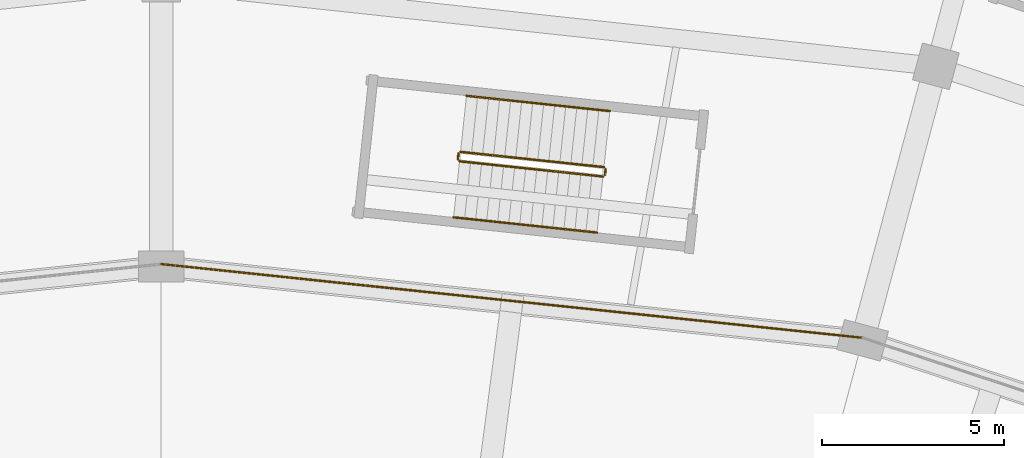
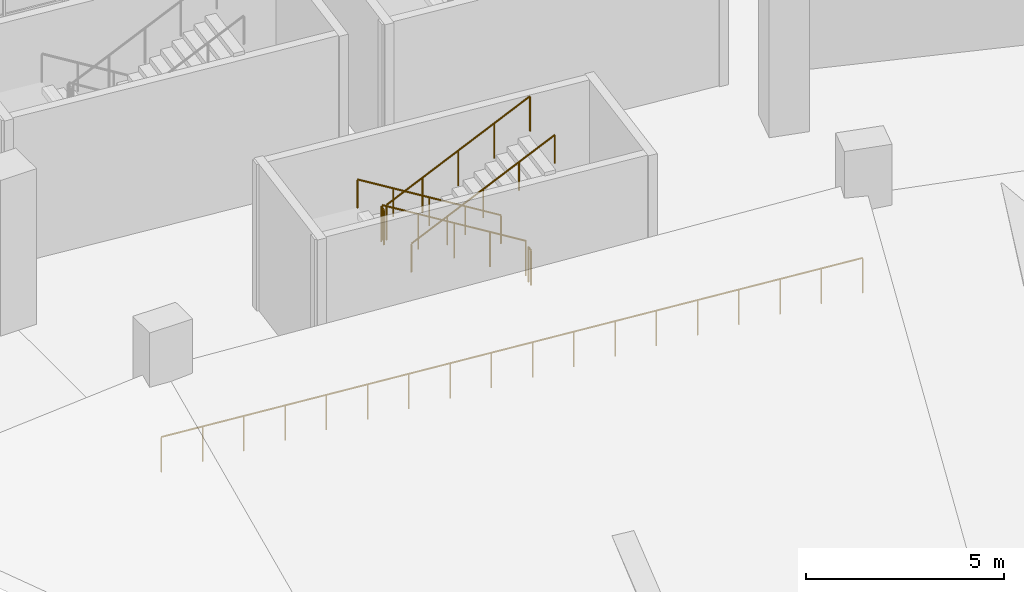
# One storey, part 167 of 183: 7 railings.
"""IFC4 building model written with IfcOpenShell, lengths in metres."""

from ifc_helpers import new_model, si_unit, direction, frame, origin, origin_2d, place, context, subcontext, project, spatial, circle, extrude, material, type_object, element, save


model = new_model("IFC4")

# Units and contexts
model_context = context("Model", 3, precision=1e-05, world=origin(), true_north=direction((0.0, 1.0)))
body_context = subcontext(model_context, "Body", "Model", "MODEL_VIEW")
ifc_project = project(units=[si_unit("LENGTHUNIT", "METRE"), si_unit("AREAUNIT", "SQUARE_METRE"), si_unit("VOLUMEUNIT", "CUBIC_METRE"), si_unit("PLANEANGLEUNIT", "RADIAN"), si_unit("MASSUNIT", "GRAM", prefix="KILO")], contexts=[model_context])

# Site, building, storey
site_placement = place(None, origin())
site = spatial("IfcSite", under=ifc_project, at=site_placement, CompositionType="ELEMENT")
building_placement = place(site_placement, origin())
building = spatial("IfcBuilding", under=site, at=building_placement, Name="Zevraka Park Crest Stadium", CompositionType="ELEMENT")
storey_placement = place(building_placement, frame((0.0, 0.0, 5.39990234375)))
storey = spatial("IfcBuildingStorey", under=building, at=storey_placement, Name="L01", CompositionType="ELEMENT", Elevation=5.39990234375)

# Railings
ifc_material_1 = material(Name="Galvanised and bronze-finished steel balustrade", Category="steel")
railing_type_1 = type_object("IfcRailingType", Name="GR01", PredefinedType="GUARDRAIL", material=ifc_material_1)
railing_1_placement = place(storey_placement, frame((131.287109375, 149.54296875, 0.0)))
element("IfcRailing", 1, at=railing_1_placement, inside=storey, type_object=railing_type_1, Name="Deck Edge Protection Guardrail GR01 L01-87", PredefinedType="GUARDRAIL", context=body_context, shape_type="SweptSolid", body=[
    extrude(circle(Radius=0.02392578125, at=origin_2d()), frame((0.0, 0.0, 1.076171875), z_axis=(-0.994520001046, 0.104546484968, 0.0), x_axis=(-0.104546484968, -0.994520001046, 0.0)), (0.0, 0.0, 1.0), 19.389404296875),
    extrude(circle(Radius=0.02099609375, at=origin_2d()), origin(), (0.0, 0.0, 1.0), 1.052001953125),
    extrude(circle(Radius=0.02099609375, at=origin_2d()), frame((-1.13427734375, 0.119140625, 0.0)), (0.0, 0.0, 1.0), 1.052001953125),
    extrude(circle(Radius=0.02099609375, at=origin_2d()), frame((-2.2685546875, 0.238525390625, 0.0)), (0.0, 0.0, 1.0), 1.052001953125),
    extrude(circle(Radius=0.02099609375, at=origin_2d()), frame((-3.40283203125, 0.357666015625, 0.0)), (0.0, 0.0, 1.0), 1.052001953125),
    extrude(circle(Radius=0.02099609375, at=origin_2d()), frame((-4.537109375, 0.47705078125, 0.0)), (0.0, 0.0, 1.0), 1.052001953125),
    extrude(circle(Radius=0.02099609375, at=origin_2d()), frame((-5.671630859375, 0.59619140625, 0.0)), (0.0, 0.0, 1.0), 1.052001953125),
    extrude(circle(Radius=0.02099609375, at=origin_2d()), frame((-6.805908203125, 0.71533203125, 0.0)), (0.0, 0.0, 1.0), 1.052001953125),
    extrude(circle(Radius=0.02099609375, at=origin_2d()), frame((-7.940185546875, 0.834716796875, 0.0)), (0.0, 0.0, 1.0), 1.052001953125),
    extrude(circle(Radius=0.02099609375, at=origin_2d()), frame((-9.074462890625, 0.953857421875, 0.0)), (0.0, 0.0, 1.0), 1.052001953125),
    extrude(circle(Radius=0.02099609375, at=origin_2d()), frame((-10.208740234375, 1.0732421875, 0.0)), (0.0, 0.0, 1.0), 1.052001953125),
    extrude(circle(Radius=0.02099609375, at=origin_2d()), frame((-11.343017578125, 1.1923828125, 0.0)), (0.0, 0.0, 1.0), 1.052001953125),
    extrude(circle(Radius=0.02099609375, at=origin_2d()), frame((-12.477294921875, 1.311767578125, 0.0)), (0.0, 0.0, 1.0), 1.052001953125),
    extrude(circle(Radius=0.02099609375, at=origin_2d()), frame((-13.611572265625, 1.430908203125, 0.0)), (0.0, 0.0, 1.0), 1.052001953125),
    extrude(circle(Radius=0.02099609375, at=origin_2d()), frame((-14.74609375, 1.550048828125, 0.0)), (0.0, 0.0, 1.0), 1.052001953125),
    extrude(circle(Radius=0.02099609375, at=origin_2d()), frame((-15.88037109375, 1.66943359375, 0.0)), (0.0, 0.0, 1.0), 1.052001953125),
    extrude(circle(Radius=0.02099609375, at=origin_2d()), frame((-17.0146484375, 1.78857421875, 0.0)), (0.0, 0.0, 1.0), 1.052001953125),
    extrude(circle(Radius=0.02099609375, at=origin_2d()), frame((-18.14892578125, 1.907958984375, 0.0)), (0.0, 0.0, 1.0), 1.052001953125),
    extrude(circle(Radius=0.02099609375, at=origin_2d()), frame((-19.283203125, 2.027099609375, 0.0)), (0.0, 0.0, 1.0), 1.052001953125),
])
ifc_material_2 = material(Name="Powder-coated tubular steel stairwell guard", Category="steel")
railing_type_2 = type_object("IfcRailingType", Name="GR03", PredefinedType="GUARDRAIL", material=ifc_material_2)
railing_2_placement = place(storey_placement, frame((124.17333984375, 154.2353515625, 0.171630859375)))
element("IfcRailing", 2, at=railing_2_placement, inside=storey, type_object=railing_type_2, Name="L01 ST35 stair guard 1", PredefinedType="GUARDRAIL", context=body_context, shape_type="SweptSolid", body=[
    extrude(circle(Radius=0.02392578125, at=origin_2d()), frame((0.0, 0.0, 1.076171875), z_axis=(-0.866841875969, 0.092272040671, 0.489970440513), x_axis=(-0.105848236242, -0.994382296144, 0.0)), (0.0, 0.0, 1.0), 4.54833984375),
    extrude(circle(Radius=0.02099609375, at=origin_2d()), origin(), (0.0, 0.0, 1.0), 1.052001953125),
    extrude(circle(Radius=0.02099609375, at=origin_2d()), frame((-0.985595703125, 0.10498046875, 0.55712890625)), (0.0, 0.0, 1.0), 1.052001953125),
    extrude(circle(Radius=0.02099609375, at=origin_2d()), frame((-1.97119140625, 0.2099609375, 1.1142578125)), (0.0, 0.0, 1.0), 1.052001953125),
    extrude(circle(Radius=0.02099609375, at=origin_2d()), frame((-2.95703125, 0.314697265625, 1.67138671875)), (0.0, 0.0, 1.0), 1.052001953125),
    extrude(circle(Radius=0.02099609375, at=origin_2d()), frame((-3.942626953125, 0.419677734375, 2.228515625)), (0.0, 0.0, 1.0), 1.052001953125),
])
railing_3_placement = place(storey_placement, frame((120.17578125, 154.610595703125, 2.400146484375)))
element("IfcRailing", 3, at=railing_3_placement, inside=storey, type_object=railing_type_2, Name="L01 ST35 stair guard 2", PredefinedType="GUARDRAIL", context=body_context, shape_type="SweptSolid", body=[
    extrude(circle(Radius=0.02392578125, at=origin_2d()), frame((0.0, 0.0, 1.076171875), z_axis=(-0.106748502729, -0.994286053993, 0.0), x_axis=(0.994286053993, -0.106748502729, 0.0)), (0.0, 0.0, 1.0), 0.16015625),
    extrude(circle(Radius=0.02099609375, at=origin_2d()), origin(), (0.0, 0.0, 1.0), 1.052001953125),
    extrude(circle(Radius=0.02099609375, at=origin_2d()), frame((-0.01708984375, -0.1591796875, 0.0)), (0.0, 0.0, 1.0), 1.052001953125),
])
railing_4_placement = place(storey_placement, frame((120.203125, 154.396484375, 2.571533203125)))
element("IfcRailing", 4, at=railing_4_placement, inside=storey, type_object=railing_type_2, Name="L01 ST35 stair guard 3", PredefinedType="GUARDRAIL", context=body_context, shape_type="SweptSolid", body=[
    extrude(circle(Radius=0.02392578125, at=origin_2d()), frame((0.0, 0.0, 1.076171875), z_axis=(0.866855218528, -0.092267747409, 0.489947643017), x_axis=(0.105841755596, 0.994382985963, 0.0)), (0.0, 0.0, 1.0), 4.548583984375),
    extrude(circle(Radius=0.02099609375, at=origin_2d()), origin(), (0.0, 0.0, 1.0), 1.052001953125),
    extrude(circle(Radius=0.02099609375, at=origin_2d()), frame((0.98583984375, -0.10498046875, 0.55712890625)), (0.0, 0.0, 1.0), 1.052001953125),
    extrude(circle(Radius=0.02099609375, at=origin_2d()), frame((1.971435546875, -0.2099609375, 1.1142578125)), (0.0, 0.0, 1.0), 1.052001953125),
    extrude(circle(Radius=0.02099609375, at=origin_2d()), frame((2.95703125, -0.314697265625, 1.67138671875)), (0.0, 0.0, 1.0), 1.052001953125),
    extrude(circle(Radius=0.02099609375, at=origin_2d()), frame((3.94287109375, -0.419677734375, 2.228515625)), (0.0, 0.0, 1.0), 1.052001953125),
])
railing_5_placement = place(storey_placement, frame((124.2177734375, 154.180419921875, 0.0)))
element("IfcRailing", 5, at=railing_5_placement, inside=storey, type_object=railing_type_2, Name="L01 ST35 stair guard 4", PredefinedType="GUARDRAIL", context=body_context, shape_type="SweptSolid", body=[
    extrude(circle(Radius=0.02392578125, at=origin_2d()), frame((0.0, 0.0, 1.076171875), z_axis=(-0.105240535143, -0.994446795843, 0.0), x_axis=(0.994446795843, -0.105240535143, 0.0)), (0.0, 0.0, 1.0), 0.16015625),
    extrude(circle(Radius=0.02099609375, at=origin_2d()), origin(), (0.0, 0.0, 1.0), 1.052001953125),
    extrude(circle(Radius=0.02099609375, at=origin_2d()), frame((-0.016845703125, -0.1591796875, 0.0)), (0.0, 0.0, 1.0), 1.052001953125),
])
ifc_material_3 = material(Name="Brushed stainless steel continuous handrail", Category="steel")
railing_type_3 = type_object("IfcRailingType", Name="HR01", PredefinedType="HANDRAIL", material=ifc_material_3)
railing_6_placement = place(storey_placement, frame((124.33740234375, 155.776611328125, 0.171630859375)))
element("IfcRailing", 6, at=railing_6_placement, inside=storey, type_object=railing_type_3, Name="L01 ST35 stair handrail 1", PredefinedType="HANDRAIL", context=body_context, shape_type="SweptSolid", body=[
    extrude(circle(Radius=0.02392578125, at=origin_2d()), frame((0.0, 0.0, 0.8759765625), z_axis=(-0.866841875969, 0.092272040671, 0.489970440513), x_axis=(-0.105848236242, -0.994382296144, 0.0)), (0.0, 0.0, 1.0), 4.54833984375),
    extrude(circle(Radius=0.02099609375, at=origin_2d()), origin(), (0.0, 0.0, 1.0), 0.851806640625),
    extrude(circle(Radius=0.02099609375, at=origin_2d()), frame((-0.985595703125, 0.10498046875, 0.55712890625)), (0.0, 0.0, 1.0), 0.851806640625),
    extrude(circle(Radius=0.02099609375, at=origin_2d()), frame((-1.97119140625, 0.2099609375, 1.1142578125)), (0.0, 0.0, 1.0), 0.851806640625),
    extrude(circle(Radius=0.02099609375, at=origin_2d()), frame((-2.95703125, 0.314697265625, 1.67138671875)), (0.0, 0.0, 1.0), 0.851806640625),
    extrude(circle(Radius=0.02099609375, at=origin_2d()), frame((-3.942626953125, 0.419677734375, 2.228515625)), (0.0, 0.0, 1.0), 0.851806640625),
])
railing_7_placement = place(storey_placement, frame((120.0390625, 152.855224609375, 2.571533203125)))
element("IfcRailing", 7, at=railing_7_placement, inside=storey, type_object=railing_type_3, Name="L01 ST35 stair handrail 2", PredefinedType="HANDRAIL", context=body_context, shape_type="SweptSolid", body=[
    extrude(circle(Radius=0.02392578125, at=origin_2d()), frame((0.0, 0.0, 0.8759765625), z_axis=(0.866841875969, -0.092272040671, 0.489970440513), x_axis=(0.105848236242, 0.994382296144, 0.0)), (0.0, 0.0, 1.0), 4.54833984375),
    extrude(circle(Radius=0.02099609375, at=origin_2d()), origin(), (0.0, 0.0, 1.0), 0.851806640625),
    extrude(circle(Radius=0.02099609375, at=origin_2d()), frame((0.985595703125, -0.10498046875, 0.55712890625)), (0.0, 0.0, 1.0), 0.851806640625),
    extrude(circle(Radius=0.02099609375, at=origin_2d()), frame((1.97119140625, -0.2099609375, 1.1142578125)), (0.0, 0.0, 1.0), 0.851806640625),
    extrude(circle(Radius=0.02099609375, at=origin_2d()), frame((2.95703125, -0.314697265625, 1.67138671875)), (0.0, 0.0, 1.0), 0.851806640625),
    extrude(circle(Radius=0.02099609375, at=origin_2d()), frame((3.942626953125, -0.419677734375, 2.228515625)), (0.0, 0.0, 1.0), 0.851806640625),
])

save(model, "model.ifc")
